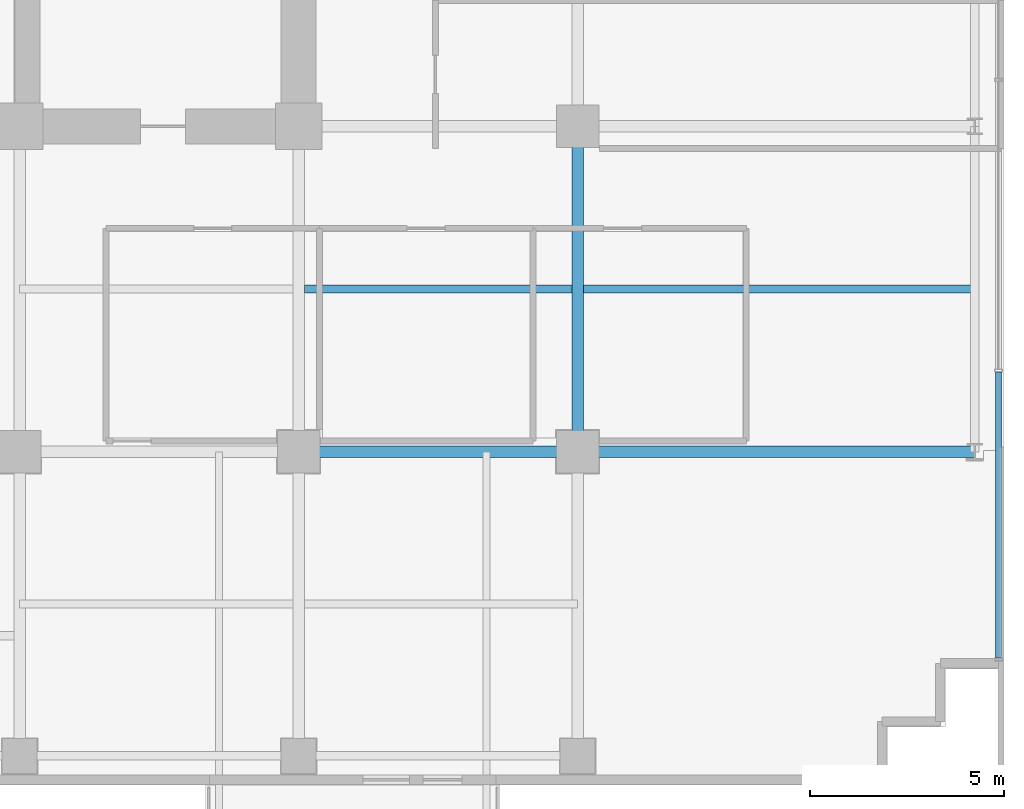
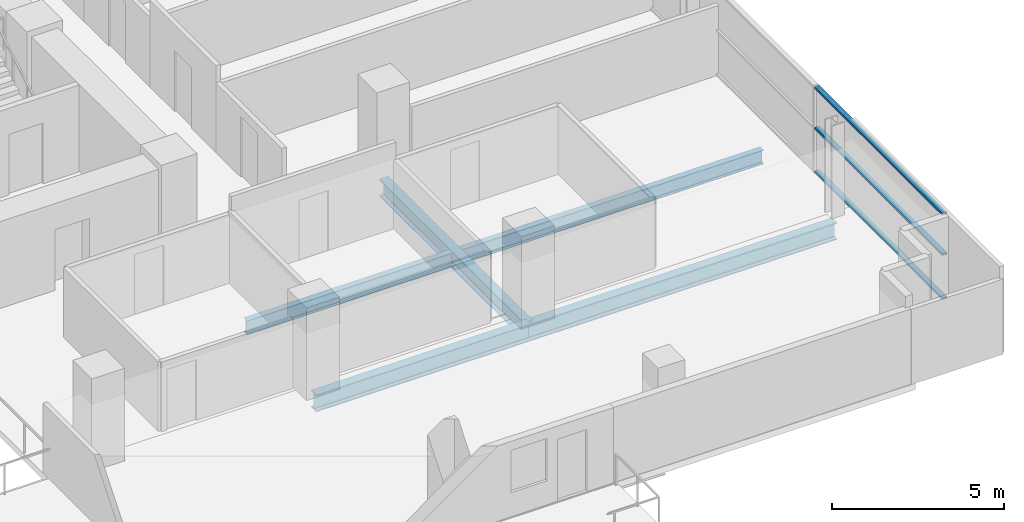
# One storey, part 12 of 32: 5 beams, 3 members, 1 element without a shape of its own.
"""IFC4 building model written with IfcOpenShell, lengths in metres."""

from ifc_helpers import new_model, si_unit, direction, frame, origin, origin_2d, place, context, subcontext, project, spatial, hollow_rectangle, i_section, extrude, source, transform, mapped, material, layer, layer_set, material_profile, profile_set, type_object, element, aggregate, save


model = new_model("IFC4")

# Units and contexts
model_context = context("Model", 3, precision=1e-05, world=origin(), true_north=direction((0.0, 1.0)))
body_context = subcontext(model_context, "Body", "Model", "MODEL_VIEW")
ifc_project = project(units=[si_unit("LENGTHUNIT", "METRE"), si_unit("AREAUNIT", "SQUARE_METRE"), si_unit("VOLUMEUNIT", "CUBIC_METRE"), si_unit("PLANEANGLEUNIT", "RADIAN"), si_unit("MASSUNIT", "GRAM", prefix="KILO")], contexts=[model_context])

# Site, building, storey
site_placement = place(None, origin())
site = spatial("IfcSite", under=ifc_project, at=site_placement, CompositionType="ELEMENT")
building_placement = place(site_placement, origin())
building = spatial("IfcBuilding", under=site, at=building_placement, Name="Zarnakvel Exchange Tower", CompositionType="ELEMENT")
storey_placement = place(building_placement, frame((0.0, 0.0, 73.60009765625)))
storey = spatial("IfcBuildingStorey", under=building, at=storey_placement, Name="L20", CompositionType="ELEMENT", Elevation=73.60009765625)

# Beams
ifc_material_1 = material(Name="Steel S355", Category="steel")
ifc_material_profile_1 = material_profile(ifc_material_1, i_section(OverallWidth=0.199951171875, OverallDepth=0.5, WebThickness=0.01025390625, FlangeThickness=0.01611328125, FilletRadius=0.02099609375, at=origin_2d()))
ifc_profile_set_1 = profile_set([ifc_material_profile_1], Name="Steel S355")
beam_type_1 = type_object("IfcBeamType", Name="B-04", PredefinedType="JOIST", material=ifc_profile_set_1)
beam_1_placement = place(storey_placement, frame((14.550048828125, -5.39990234375, -0.47509765625), z_axis=(1.0, 0.0, 0.0), x_axis=(0.0, 1.0, 0.0)))
element("IfcBeam", 1, at=beam_1_placement, inside=storey, type_object=beam_type_1, Name="L20 Composite Floor Secondary Joist", PredefinedType="JOIST", context=body_context, shape_type="SweptSolid", body=[
    extrude(i_section(OverallWidth=0.199951171875, OverallDepth=0.5, WebThickness=0.01025390625, FlangeThickness=0.01611328125, FilletRadius=0.02099609375, at=origin_2d()), origin(), (0.0, 0.0, 1.0), 6.89990234375),
])
beam_2_placement = place(storey_placement, frame((21.75, -5.39990234375, -0.47509765625), z_axis=(1.0, 0.0, 0.0), x_axis=(0.0, 1.0, 0.0)))
element("IfcBeam", 2, at=beam_2_placement, inside=storey, type_object=beam_type_1, Name="L20 Composite Floor Secondary Joist", PredefinedType="JOIST", context=body_context, shape_type="SweptSolid", body=[
    extrude(i_section(OverallWidth=0.199951171875, OverallDepth=0.5, WebThickness=0.01025390625, FlangeThickness=0.01611328125, FilletRadius=0.02099609375, at=origin_2d()), origin(), (0.0, 0.0, 1.0), 10.10009765625),
])
ifc_material_profile_2 = material_profile(ifc_material_1, i_section(OverallWidth=0.300048828125, OverallDepth=0.60009765625, WebThickness=0.015380859375, FlangeThickness=0.030029296875, FilletRadius=0.027099609375, at=origin_2d()))
ifc_profile_set_2 = profile_set([ifc_material_profile_2], Name="Steel S355")
beam_type_2 = type_object("IfcBeamType", Name="G-04", PredefinedType="BEAM", material=ifc_profile_set_2)
beam_3_placement = place(storey_placement, frame((14.39990234375, -9.60009765625, -0.525146484375), z_axis=(1.0, 0.0, 0.0), x_axis=(0.0, 1.0, 0.0)))
element("IfcBeam", 3, at=beam_3_placement, inside=storey, type_object=beam_type_2, Name="L20 Tower E-W Frame Beam", PredefinedType="BEAM", context=body_context, shape_type="SweptSolid", body=[
    extrude(i_section(OverallWidth=0.300048828125, OverallDepth=0.60009765625, WebThickness=0.015380859375, FlangeThickness=0.030029296875, FilletRadius=0.027099609375, at=origin_2d()), origin(), (0.0, 0.0, 1.0), 7.2001953125),
])
beam_4_placement = place(storey_placement, frame((21.60009765625, -9.60009765625, -0.525146484375), z_axis=(1.0, 0.0, 0.0), x_axis=(0.0, 1.0, 0.0)))
element("IfcBeam", 4, at=beam_4_placement, inside=storey, type_object=beam_type_2, Name="L20 Tower E-W Frame Beam", PredefinedType="BEAM", context=body_context, shape_type="SweptSolid", body=[
    extrude(i_section(OverallWidth=0.300048828125, OverallDepth=0.60009765625, WebThickness=0.015380859375, FlangeThickness=0.030029296875, FilletRadius=0.027099609375, at=origin_2d()), origin(), (0.0, 0.0, 1.0), 10.25),
])
beam_5_placement = place(storey_placement, frame((21.60009765625, -9.60009765625, -0.525146484375), z_axis=(0.0, 1.0, 0.0), x_axis=(-1.0, 0.0, 0.0)))
element("IfcBeam", 5, at=beam_5_placement, inside=storey, type_object=beam_type_2, Name="L20 Tower N-S Frame Beam", PredefinedType="BEAM", context=body_context, shape_type="SweptSolid", body=[
    extrude(i_section(OverallWidth=0.300048828125, OverallDepth=0.60009765625, WebThickness=0.015380859375, FlangeThickness=0.030029296875, FilletRadius=0.027099609375, at=origin_2d()), origin(), (0.0, 0.0, 1.0), 8.400146484375),
])

# Curtain wall, members
ifc_material_2 = material(Name="Architectural Bronze Anodised Aluminium", Category="aluminium")
ifc_layer = layer(ifc_material_2, 0.199951171875)
ifc_layer_set = layer_set([ifc_layer], Name="Architectural Bronze Anodised Aluminium")
curtain_wall_type = type_object("IfcCurtainWallType", Name="CW-04", PredefinedType="NOTDEFINED", material=ifc_layer_set)
curtain_wall_placement = place(storey_placement, origin())
curtain_wall = element("IfcCurtainWall", 6, at=curtain_wall_placement, inside=storey, type_object=curtain_wall_type, Name="L20 Curtain Wall CW-L20-E1 (CW-04)", PredefinedType="NOTDEFINED")
ifc_material_profile_3 = material_profile(ifc_material_2, hollow_rectangle(XDim=0.159912109375, YDim=0.074951171875, WallThickness=0.00390625, at=origin_2d()))
ifc_profile_set_3 = profile_set([ifc_material_profile_3], Name="Architectural Bronze Anodised Aluminium")
member_type = type_object("IfcMemberType", Name="CWT-04", PredefinedType="USERDEFINED", material=ifc_profile_set_3)
shared_shape = source(origin(), body_context, "Body", "SweptSolid", [
    extrude(hollow_rectangle(XDim=0.159912109375, YDim=0.074951171875, WallThickness=0.00390625, at=origin_2d()), origin(), (0.0, 0.0, 1.0), 7.387451171875),
])
member_1_placement = place(storey_placement, frame((32.4599609375, -14.925048828125, 0.037353515625), z_axis=(0.0, 1.0, 0.0), x_axis=(-1.0, 0.0, 0.0)))
member_1 = element("IfcMember", 7, at=member_1_placement, type_object=member_type, Name="CW-04 transom 1.1", ObjectType="TRANSOM", PredefinedType="USERDEFINED", context=body_context, shape_type="MappedRepresentation", body=[
    mapped(shared_shape, transform((0.0, 0.0, 0.0), x_axis=(1.0, 0.0, 0.0), y_axis=(0.0, 1.0, 0.0), z_axis=(0.0, 0.0, 1.0), scale=1.0)),
])
member_2_placement = place(storey_placement, frame((32.4599609375, -14.925048828125, 1.588623046875), z_axis=(0.0, 1.0, 0.0), x_axis=(-1.0, 0.0, 0.0)))
member_2 = element("IfcMember", 8, at=member_2_placement, type_object=member_type, Name="CW-04 transom 1.2", ObjectType="TRANSOM", PredefinedType="USERDEFINED", context=body_context, shape_type="MappedRepresentation", body=[
    mapped(shared_shape, transform((0.0, 0.0, 0.0), x_axis=(1.0, 0.0, 0.0), y_axis=(0.0, 1.0, 0.0), z_axis=(0.0, 0.0, 1.0), scale=1.0)),
])
member_3_placement = place(storey_placement, frame((32.4599609375, -14.925048828125, 3.017333984375), z_axis=(0.0, 1.0, 0.0), x_axis=(-1.0, 0.0, 0.0)))
member_3 = element("IfcMember", 9, at=member_3_placement, type_object=member_type, Name="CW-04 transom 1.3", ObjectType="TRANSOM", PredefinedType="USERDEFINED", context=body_context, shape_type="MappedRepresentation", body=[
    mapped(shared_shape, transform((0.0, 0.0, 0.0), x_axis=(1.0, 0.0, 0.0), y_axis=(0.0, 1.0, 0.0), z_axis=(0.0, 0.0, 1.0), scale=1.0)),
])
aggregate(curtain_wall, [member_1, member_2, member_3])

save(model, "model.ifc")
